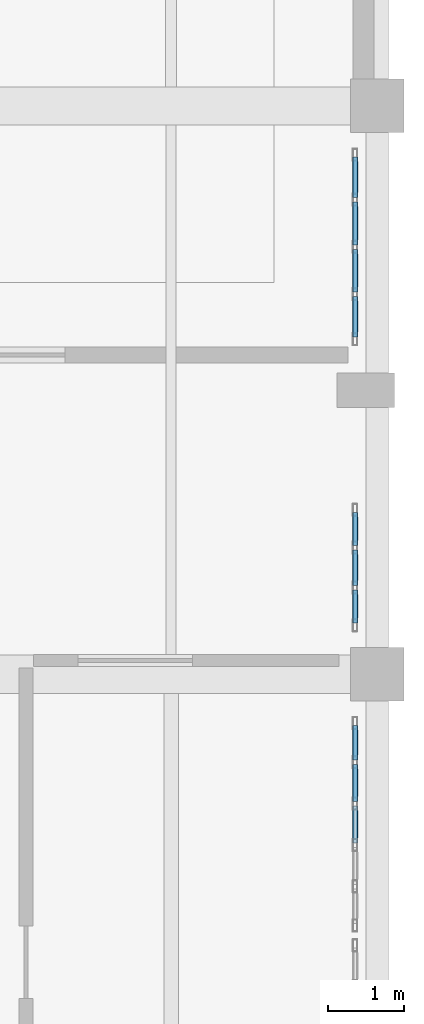
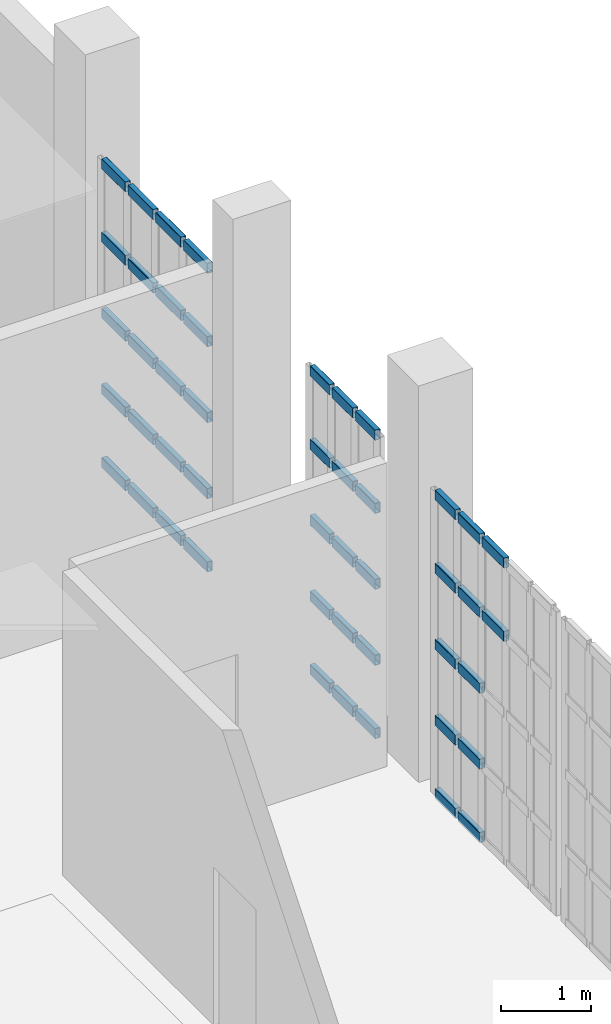
# One storey, part 319 of 372: 47 members, 3 elements without a shape of their own.
"""IFC4 building model written with IfcOpenShell, lengths in metres."""

from ifc_helpers import new_model, si_unit, direction, frame, origin, origin_2d, place, context, subcontext, project, spatial, hollow_rectangle, extrude, material, material_profile, profile_set, type_object, element, aggregate, save


model = new_model("IFC4")

# Units and contexts
model_context = context("Model", 3, precision=1e-05, world=origin(), true_north=direction((0.0, 1.0)))
body_context = subcontext(model_context, "Body", "Model", "MODEL_VIEW")
ifc_project = project(units=[si_unit("LENGTHUNIT", "METRE"), si_unit("AREAUNIT", "SQUARE_METRE"), si_unit("VOLUMEUNIT", "CUBIC_METRE"), si_unit("PLANEANGLEUNIT", "RADIAN"), si_unit("MASSUNIT", "GRAM", prefix="KILO")], contexts=[model_context])

# Site, building, storey
site_placement = place(None, origin())
site = spatial("IfcSite", under=ifc_project, at=site_placement, CompositionType="ELEMENT")
building_placement = place(site_placement, origin())
building = spatial("IfcBuilding", under=site, at=building_placement, Name="Kaelora Sail Theatre", CompositionType="ELEMENT")
storey_placement = place(building_placement, origin())
storey = spatial("IfcBuildingStorey", under=building, at=storey_placement, Name="L00", CompositionType="ELEMENT", Elevation=0.0)

# Curtain wall, members
ifc_material_1 = material(Name="Anodised aluminium and solar-control low-E IGU", Category="aluminium")
curtain_wall_type = type_object("IfcCurtainWallType", Name="ARC-CW-CW-FOY1", PredefinedType="NOTDEFINED", material=ifc_material_1)
curtain_wall_1_placement = place(storey_placement, origin())
curtain_wall_1 = element("IfcCurtainWall", 1, at=curtain_wall_1_placement, inside=storey, type_object=curtain_wall_type, Name="Glazed Colonnade/Courtyard Curtain Wall COLE-E-L00-12", PredefinedType="NOTDEFINED")
ifc_material_2 = material(Name="Anodised aluminium 6063-T6", Category="aluminium")
ifc_material_profile = material_profile(ifc_material_2, hollow_rectangle(XDim=0.070068359375, YDim=0.139892578125, WallThickness=0.00390625, InnerFilletRadius=0.00390625, OuterFilletRadius=0.008056640625, at=origin_2d()), Name="ALU-TRAN 70x140x4")
ifc_profile_set = profile_set([ifc_material_profile], Name="Anodised aluminium 6063-T6")
member_type = type_object("IfcMemberType", Name="ARC-MEM-TR-140", PredefinedType="USERDEFINED", material=ifc_profile_set)
member_1_placement = place(storey_placement, frame((163.2099609375, 58.81396484375, 3.102783203125), z_axis=(0.0, 1.0, 0.0), x_axis=(-1.0, 0.0, 0.0)))
member_1 = element("IfcMember", 2, at=member_1_placement, type_object=member_type, Name="CW-FOY1 transom 3.4", ObjectType="TRANSOM", PredefinedType="USERDEFINED", context=body_context, shape_type="SweptSolid", body=[
    extrude(hollow_rectangle(XDim=0.070068359375, YDim=0.139892578125, WallThickness=0.00390625, InnerFilletRadius=0.00390625, OuterFilletRadius=0.008056640625, at=origin_2d()), origin(), (0.0, 0.0, 1.0), 0.48193359375),
])
member_2_placement = place(storey_placement, frame((163.2099609375, 58.81396484375, 4.10205078125), z_axis=(0.0, 1.0, 0.0), x_axis=(-1.0, 0.0, 0.0)))
member_2 = element("IfcMember", 3, at=member_2_placement, type_object=member_type, Name="CW-FOY1 transom 3.5", ObjectType="TRANSOM", PredefinedType="USERDEFINED", context=body_context, shape_type="SweptSolid", body=[
    extrude(hollow_rectangle(XDim=0.070068359375, YDim=0.139892578125, WallThickness=0.00390625, InnerFilletRadius=0.00390625, OuterFilletRadius=0.008056640625, at=origin_2d()), origin(), (0.0, 0.0, 1.0), 0.48193359375),
])
member_3_placement = place(storey_placement, frame((163.2099609375, 59.35595703125, 0.034912109375), z_axis=(0.0, 1.0, 0.0), x_axis=(-1.0, 0.0, 0.0)))
member_3 = element("IfcMember", 4, at=member_3_placement, type_object=member_type, Name="CW-FOY1 transom 4.1", ObjectType="TRANSOM", PredefinedType="USERDEFINED", context=body_context, shape_type="SweptSolid", body=[
    extrude(hollow_rectangle(XDim=0.070068359375, YDim=0.139892578125, WallThickness=0.00390625, InnerFilletRadius=0.00390625, OuterFilletRadius=0.008056640625, at=origin_2d()), origin(), (0.0, 0.0, 1.0), 0.48193359375),
])
member_4_placement = place(storey_placement, frame((163.2099609375, 59.35595703125, 1.0341796875), z_axis=(0.0, 1.0, 0.0), x_axis=(-1.0, 0.0, 0.0)))
member_4 = element("IfcMember", 5, at=member_4_placement, type_object=member_type, Name="CW-FOY1 transom 4.2", ObjectType="TRANSOM", PredefinedType="USERDEFINED", context=body_context, shape_type="SweptSolid", body=[
    extrude(hollow_rectangle(XDim=0.070068359375, YDim=0.139892578125, WallThickness=0.00390625, InnerFilletRadius=0.00390625, OuterFilletRadius=0.008056640625, at=origin_2d()), origin(), (0.0, 0.0, 1.0), 0.48193359375),
])
member_5_placement = place(storey_placement, frame((163.2099609375, 59.35595703125, 2.068603515625), z_axis=(0.0, 1.0, 0.0), x_axis=(-1.0, 0.0, 0.0)))
member_5 = element("IfcMember", 6, at=member_5_placement, type_object=member_type, Name="CW-FOY1 transom 4.3", ObjectType="TRANSOM", PredefinedType="USERDEFINED", context=body_context, shape_type="SweptSolid", body=[
    extrude(hollow_rectangle(XDim=0.070068359375, YDim=0.139892578125, WallThickness=0.00390625, InnerFilletRadius=0.00390625, OuterFilletRadius=0.008056640625, at=origin_2d()), origin(), (0.0, 0.0, 1.0), 0.48193359375),
])
member_6_placement = place(storey_placement, frame((163.2099609375, 59.35595703125, 3.102783203125), z_axis=(0.0, 1.0, 0.0), x_axis=(-1.0, 0.0, 0.0)))
member_6 = element("IfcMember", 7, at=member_6_placement, type_object=member_type, Name="CW-FOY1 transom 4.4", ObjectType="TRANSOM", PredefinedType="USERDEFINED", context=body_context, shape_type="SweptSolid", body=[
    extrude(hollow_rectangle(XDim=0.070068359375, YDim=0.139892578125, WallThickness=0.00390625, InnerFilletRadius=0.00390625, OuterFilletRadius=0.008056640625, at=origin_2d()), origin(), (0.0, 0.0, 1.0), 0.48193359375),
])
member_7_placement = place(storey_placement, frame((163.2099609375, 59.35595703125, 4.10205078125), z_axis=(0.0, 1.0, 0.0), x_axis=(-1.0, 0.0, 0.0)))
member_7 = element("IfcMember", 8, at=member_7_placement, type_object=member_type, Name="CW-FOY1 transom 4.5", ObjectType="TRANSOM", PredefinedType="USERDEFINED", context=body_context, shape_type="SweptSolid", body=[
    extrude(hollow_rectangle(XDim=0.070068359375, YDim=0.139892578125, WallThickness=0.00390625, InnerFilletRadius=0.00390625, OuterFilletRadius=0.008056640625, at=origin_2d()), origin(), (0.0, 0.0, 1.0), 0.48193359375),
])
member_8_placement = place(storey_placement, frame((163.2099609375, 59.89794921875, 0.034912109375), z_axis=(0.0, 1.0, 0.0), x_axis=(-1.0, 0.0, 0.0)))
member_8 = element("IfcMember", 9, at=member_8_placement, type_object=member_type, Name="CW-FOY1 transom 5.1", ObjectType="TRANSOM", PredefinedType="USERDEFINED", context=body_context, shape_type="SweptSolid", body=[
    extrude(hollow_rectangle(XDim=0.070068359375, YDim=0.139892578125, WallThickness=0.00390625, InnerFilletRadius=0.00390625, OuterFilletRadius=0.008056640625, at=origin_2d()), origin(), (0.0, 0.0, 1.0), 0.4521484375),
])
member_9_placement = place(storey_placement, frame((163.2099609375, 59.89794921875, 1.0341796875), z_axis=(0.0, 1.0, 0.0), x_axis=(-1.0, 0.0, 0.0)))
member_9 = element("IfcMember", 10, at=member_9_placement, type_object=member_type, Name="CW-FOY1 transom 5.2", ObjectType="TRANSOM", PredefinedType="USERDEFINED", context=body_context, shape_type="SweptSolid", body=[
    extrude(hollow_rectangle(XDim=0.070068359375, YDim=0.139892578125, WallThickness=0.00390625, InnerFilletRadius=0.00390625, OuterFilletRadius=0.008056640625, at=origin_2d()), origin(), (0.0, 0.0, 1.0), 0.4521484375),
])
member_10_placement = place(storey_placement, frame((163.2099609375, 59.89794921875, 2.068603515625), z_axis=(0.0, 1.0, 0.0), x_axis=(-1.0, 0.0, 0.0)))
member_10 = element("IfcMember", 11, at=member_10_placement, type_object=member_type, Name="CW-FOY1 transom 5.3", ObjectType="TRANSOM", PredefinedType="USERDEFINED", context=body_context, shape_type="SweptSolid", body=[
    extrude(hollow_rectangle(XDim=0.070068359375, YDim=0.139892578125, WallThickness=0.00390625, InnerFilletRadius=0.00390625, OuterFilletRadius=0.008056640625, at=origin_2d()), origin(), (0.0, 0.0, 1.0), 0.4521484375),
])
member_11_placement = place(storey_placement, frame((163.2099609375, 59.89794921875, 3.102783203125), z_axis=(0.0, 1.0, 0.0), x_axis=(-1.0, 0.0, 0.0)))
member_11 = element("IfcMember", 12, at=member_11_placement, type_object=member_type, Name="CW-FOY1 transom 5.4", ObjectType="TRANSOM", PredefinedType="USERDEFINED", context=body_context, shape_type="SweptSolid", body=[
    extrude(hollow_rectangle(XDim=0.070068359375, YDim=0.139892578125, WallThickness=0.00390625, InnerFilletRadius=0.00390625, OuterFilletRadius=0.008056640625, at=origin_2d()), origin(), (0.0, 0.0, 1.0), 0.4521484375),
])
member_12_placement = place(storey_placement, frame((163.2099609375, 59.89794921875, 4.10205078125), z_axis=(0.0, 1.0, 0.0), x_axis=(-1.0, 0.0, 0.0)))
member_12 = element("IfcMember", 13, at=member_12_placement, type_object=member_type, Name="CW-FOY1 transom 5.5", ObjectType="TRANSOM", PredefinedType="USERDEFINED", context=body_context, shape_type="SweptSolid", body=[
    extrude(hollow_rectangle(XDim=0.070068359375, YDim=0.139892578125, WallThickness=0.00390625, InnerFilletRadius=0.00390625, OuterFilletRadius=0.008056640625, at=origin_2d()), origin(), (0.0, 0.0, 1.0), 0.4521484375),
])
aggregate(curtain_wall_1, [member_1, member_2, member_3, member_4, member_5, member_6, member_7, member_8, member_9, member_10, member_11, member_12])

curtain_wall_2_placement = place(storey_placement, origin())
curtain_wall_2 = element("IfcCurtainWall", 14, at=curtain_wall_2_placement, inside=storey, type_object=curtain_wall_type, Name="Glazed Colonnade/Courtyard Curtain Wall COLE-E-L00-13", PredefinedType="NOTDEFINED")
member_13_placement = place(storey_placement, frame((163.2099609375, 61.68994140625, 0.034912109375), z_axis=(0.0, 1.0, 0.0), x_axis=(-1.0, 0.0, 0.0)))
member_13 = element("IfcMember", 15, at=member_13_placement, type_object=member_type, Name="CW-FOY1 transom 1.1", ObjectType="TRANSOM", PredefinedType="USERDEFINED", context=body_context, shape_type="SweptSolid", body=[
    extrude(hollow_rectangle(XDim=0.070068359375, YDim=0.139892578125, WallThickness=0.00390625, InnerFilletRadius=0.00390625, OuterFilletRadius=0.008056640625, at=origin_2d()), origin(), (0.0, 0.0, 1.0), 0.433349609375),
])
member_14_placement = place(storey_placement, frame((163.2099609375, 61.68994140625, 1.0341796875), z_axis=(0.0, 1.0, 0.0), x_axis=(-1.0, 0.0, 0.0)))
member_14 = element("IfcMember", 16, at=member_14_placement, type_object=member_type, Name="CW-FOY1 transom 1.2", ObjectType="TRANSOM", PredefinedType="USERDEFINED", context=body_context, shape_type="SweptSolid", body=[
    extrude(hollow_rectangle(XDim=0.070068359375, YDim=0.139892578125, WallThickness=0.00390625, InnerFilletRadius=0.00390625, OuterFilletRadius=0.008056640625, at=origin_2d()), origin(), (0.0, 0.0, 1.0), 0.433349609375),
])
member_15_placement = place(storey_placement, frame((163.2099609375, 61.68994140625, 2.068603515625), z_axis=(0.0, 1.0, 0.0), x_axis=(-1.0, 0.0, 0.0)))
member_15 = element("IfcMember", 17, at=member_15_placement, type_object=member_type, Name="CW-FOY1 transom 1.3", ObjectType="TRANSOM", PredefinedType="USERDEFINED", context=body_context, shape_type="SweptSolid", body=[
    extrude(hollow_rectangle(XDim=0.070068359375, YDim=0.139892578125, WallThickness=0.00390625, InnerFilletRadius=0.00390625, OuterFilletRadius=0.008056640625, at=origin_2d()), origin(), (0.0, 0.0, 1.0), 0.433349609375),
])
member_16_placement = place(storey_placement, frame((163.2099609375, 61.68994140625, 3.102783203125), z_axis=(0.0, 1.0, 0.0), x_axis=(-1.0, 0.0, 0.0)))
member_16 = element("IfcMember", 18, at=member_16_placement, type_object=member_type, Name="CW-FOY1 transom 1.4", ObjectType="TRANSOM", PredefinedType="USERDEFINED", context=body_context, shape_type="SweptSolid", body=[
    extrude(hollow_rectangle(XDim=0.070068359375, YDim=0.139892578125, WallThickness=0.00390625, InnerFilletRadius=0.00390625, OuterFilletRadius=0.008056640625, at=origin_2d()), origin(), (0.0, 0.0, 1.0), 0.433349609375),
])
member_17_placement = place(storey_placement, frame((163.2099609375, 61.68994140625, 4.10205078125), z_axis=(0.0, 1.0, 0.0), x_axis=(-1.0, 0.0, 0.0)))
member_17 = element("IfcMember", 19, at=member_17_placement, type_object=member_type, Name="CW-FOY1 transom 1.5", ObjectType="TRANSOM", PredefinedType="USERDEFINED", context=body_context, shape_type="SweptSolid", body=[
    extrude(hollow_rectangle(XDim=0.070068359375, YDim=0.139892578125, WallThickness=0.00390625, InnerFilletRadius=0.00390625, OuterFilletRadius=0.008056640625, at=origin_2d()), origin(), (0.0, 0.0, 1.0), 0.433349609375),
])
member_18_placement = place(storey_placement, frame((163.2099609375, 62.183349609375, 0.034912109375), z_axis=(0.0, 1.0, 0.0), x_axis=(-1.0, 0.0, 0.0)))
member_18 = element("IfcMember", 20, at=member_18_placement, type_object=member_type, Name="CW-FOY1 transom 2.1", ObjectType="TRANSOM", PredefinedType="USERDEFINED", context=body_context, shape_type="SweptSolid", body=[
    extrude(hollow_rectangle(XDim=0.070068359375, YDim=0.139892578125, WallThickness=0.00390625, InnerFilletRadius=0.00390625, OuterFilletRadius=0.008056640625, at=origin_2d()), origin(), (0.0, 0.0, 1.0), 0.46337890625),
])
member_19_placement = place(storey_placement, frame((163.2099609375, 62.183349609375, 1.0341796875), z_axis=(0.0, 1.0, 0.0), x_axis=(-1.0, 0.0, 0.0)))
member_19 = element("IfcMember", 21, at=member_19_placement, type_object=member_type, Name="CW-FOY1 transom 2.2", ObjectType="TRANSOM", PredefinedType="USERDEFINED", context=body_context, shape_type="SweptSolid", body=[
    extrude(hollow_rectangle(XDim=0.070068359375, YDim=0.139892578125, WallThickness=0.00390625, InnerFilletRadius=0.00390625, OuterFilletRadius=0.008056640625, at=origin_2d()), origin(), (0.0, 0.0, 1.0), 0.46337890625),
])
member_20_placement = place(storey_placement, frame((163.2099609375, 62.183349609375, 2.068603515625), z_axis=(0.0, 1.0, 0.0), x_axis=(-1.0, 0.0, 0.0)))
member_20 = element("IfcMember", 22, at=member_20_placement, type_object=member_type, Name="CW-FOY1 transom 2.3", ObjectType="TRANSOM", PredefinedType="USERDEFINED", context=body_context, shape_type="SweptSolid", body=[
    extrude(hollow_rectangle(XDim=0.070068359375, YDim=0.139892578125, WallThickness=0.00390625, InnerFilletRadius=0.00390625, OuterFilletRadius=0.008056640625, at=origin_2d()), origin(), (0.0, 0.0, 1.0), 0.46337890625),
])
member_21_placement = place(storey_placement, frame((163.2099609375, 62.183349609375, 3.102783203125), z_axis=(0.0, 1.0, 0.0), x_axis=(-1.0, 0.0, 0.0)))
member_21 = element("IfcMember", 23, at=member_21_placement, type_object=member_type, Name="CW-FOY1 transom 2.4", ObjectType="TRANSOM", PredefinedType="USERDEFINED", context=body_context, shape_type="SweptSolid", body=[
    extrude(hollow_rectangle(XDim=0.070068359375, YDim=0.139892578125, WallThickness=0.00390625, InnerFilletRadius=0.00390625, OuterFilletRadius=0.008056640625, at=origin_2d()), origin(), (0.0, 0.0, 1.0), 0.46337890625),
])
member_22_placement = place(storey_placement, frame((163.2099609375, 62.183349609375, 4.10205078125), z_axis=(0.0, 1.0, 0.0), x_axis=(-1.0, 0.0, 0.0)))
member_22 = element("IfcMember", 24, at=member_22_placement, type_object=member_type, Name="CW-FOY1 transom 2.5", ObjectType="TRANSOM", PredefinedType="USERDEFINED", context=body_context, shape_type="SweptSolid", body=[
    extrude(hollow_rectangle(XDim=0.070068359375, YDim=0.139892578125, WallThickness=0.00390625, InnerFilletRadius=0.00390625, OuterFilletRadius=0.008056640625, at=origin_2d()), origin(), (0.0, 0.0, 1.0), 0.46337890625),
])
member_23_placement = place(storey_placement, frame((163.2099609375, 62.706787109375, 0.034912109375), z_axis=(0.0, 1.0, 0.0), x_axis=(-1.0, 0.0, 0.0)))
member_23 = element("IfcMember", 25, at=member_23_placement, type_object=member_type, Name="CW-FOY1 transom 3.1", ObjectType="TRANSOM", PredefinedType="USERDEFINED", context=body_context, shape_type="SweptSolid", body=[
    extrude(hollow_rectangle(XDim=0.070068359375, YDim=0.139892578125, WallThickness=0.00390625, InnerFilletRadius=0.00390625, OuterFilletRadius=0.008056640625, at=origin_2d()), origin(), (0.0, 0.0, 1.0), 0.43310546875),
])
member_24_placement = place(storey_placement, frame((163.2099609375, 62.706787109375, 1.0341796875), z_axis=(0.0, 1.0, 0.0), x_axis=(-1.0, 0.0, 0.0)))
member_24 = element("IfcMember", 26, at=member_24_placement, type_object=member_type, Name="CW-FOY1 transom 3.2", ObjectType="TRANSOM", PredefinedType="USERDEFINED", context=body_context, shape_type="SweptSolid", body=[
    extrude(hollow_rectangle(XDim=0.070068359375, YDim=0.139892578125, WallThickness=0.00390625, InnerFilletRadius=0.00390625, OuterFilletRadius=0.008056640625, at=origin_2d()), origin(), (0.0, 0.0, 1.0), 0.43310546875),
])
member_25_placement = place(storey_placement, frame((163.2099609375, 62.706787109375, 2.068603515625), z_axis=(0.0, 1.0, 0.0), x_axis=(-1.0, 0.0, 0.0)))
member_25 = element("IfcMember", 27, at=member_25_placement, type_object=member_type, Name="CW-FOY1 transom 3.3", ObjectType="TRANSOM", PredefinedType="USERDEFINED", context=body_context, shape_type="SweptSolid", body=[
    extrude(hollow_rectangle(XDim=0.070068359375, YDim=0.139892578125, WallThickness=0.00390625, InnerFilletRadius=0.00390625, OuterFilletRadius=0.008056640625, at=origin_2d()), origin(), (0.0, 0.0, 1.0), 0.43310546875),
])
member_26_placement = place(storey_placement, frame((163.2099609375, 62.706787109375, 3.102783203125), z_axis=(0.0, 1.0, 0.0), x_axis=(-1.0, 0.0, 0.0)))
member_26 = element("IfcMember", 28, at=member_26_placement, type_object=member_type, Name="CW-FOY1 transom 3.4", ObjectType="TRANSOM", PredefinedType="USERDEFINED", context=body_context, shape_type="SweptSolid", body=[
    extrude(hollow_rectangle(XDim=0.070068359375, YDim=0.139892578125, WallThickness=0.00390625, InnerFilletRadius=0.00390625, OuterFilletRadius=0.008056640625, at=origin_2d()), origin(), (0.0, 0.0, 1.0), 0.43310546875),
])
member_27_placement = place(storey_placement, frame((163.2099609375, 62.706787109375, 4.10205078125), z_axis=(0.0, 1.0, 0.0), x_axis=(-1.0, 0.0, 0.0)))
member_27 = element("IfcMember", 29, at=member_27_placement, type_object=member_type, Name="CW-FOY1 transom 3.5", ObjectType="TRANSOM", PredefinedType="USERDEFINED", context=body_context, shape_type="SweptSolid", body=[
    extrude(hollow_rectangle(XDim=0.070068359375, YDim=0.139892578125, WallThickness=0.00390625, InnerFilletRadius=0.00390625, OuterFilletRadius=0.008056640625, at=origin_2d()), origin(), (0.0, 0.0, 1.0), 0.43310546875),
])
aggregate(curtain_wall_2, [member_13, member_14, member_15, member_16, member_17, member_18, member_19, member_20, member_21, member_22, member_23, member_24, member_25, member_26, member_27])

curtain_wall_3_placement = place(storey_placement, origin())
curtain_wall_3 = element("IfcCurtainWall", 30, at=curtain_wall_3_placement, inside=storey, type_object=curtain_wall_type, Name="Glazed Colonnade/Courtyard Curtain Wall COLE-E-L00-15", PredefinedType="NOTDEFINED")
member_28_placement = place(storey_placement, frame((163.2099609375, 65.43505859375, 0.034912109375), z_axis=(0.0, 1.0, 0.0), x_axis=(-1.0, 0.0, 0.0)))
member_28 = element("IfcMember", 31, at=member_28_placement, type_object=member_type, Name="CW-FOY1 transom 1.1", ObjectType="TRANSOM", PredefinedType="USERDEFINED", context=body_context, shape_type="SweptSolid", body=[
    extrude(hollow_rectangle(XDim=0.070068359375, YDim=0.139892578125, WallThickness=0.00390625, InnerFilletRadius=0.00390625, OuterFilletRadius=0.008056640625, at=origin_2d()), origin(), (0.0, 0.0, 1.0), 0.52880859375),
])
member_29_placement = place(storey_placement, frame((163.2099609375, 65.43505859375, 1.0341796875), z_axis=(0.0, 1.0, 0.0), x_axis=(-1.0, 0.0, 0.0)))
member_29 = element("IfcMember", 32, at=member_29_placement, type_object=member_type, Name="CW-FOY1 transom 1.2", ObjectType="TRANSOM", PredefinedType="USERDEFINED", context=body_context, shape_type="SweptSolid", body=[
    extrude(hollow_rectangle(XDim=0.070068359375, YDim=0.139892578125, WallThickness=0.00390625, InnerFilletRadius=0.00390625, OuterFilletRadius=0.008056640625, at=origin_2d()), origin(), (0.0, 0.0, 1.0), 0.52880859375),
])
member_30_placement = place(storey_placement, frame((163.2099609375, 65.43505859375, 2.068603515625), z_axis=(0.0, 1.0, 0.0), x_axis=(-1.0, 0.0, 0.0)))
member_30 = element("IfcMember", 33, at=member_30_placement, type_object=member_type, Name="CW-FOY1 transom 1.3", ObjectType="TRANSOM", PredefinedType="USERDEFINED", context=body_context, shape_type="SweptSolid", body=[
    extrude(hollow_rectangle(XDim=0.070068359375, YDim=0.139892578125, WallThickness=0.00390625, InnerFilletRadius=0.00390625, OuterFilletRadius=0.008056640625, at=origin_2d()), origin(), (0.0, 0.0, 1.0), 0.52880859375),
])
member_31_placement = place(storey_placement, frame((163.2099609375, 65.43505859375, 3.102783203125), z_axis=(0.0, 1.0, 0.0), x_axis=(-1.0, 0.0, 0.0)))
member_31 = element("IfcMember", 34, at=member_31_placement, type_object=member_type, Name="CW-FOY1 transom 1.4", ObjectType="TRANSOM", PredefinedType="USERDEFINED", context=body_context, shape_type="SweptSolid", body=[
    extrude(hollow_rectangle(XDim=0.070068359375, YDim=0.139892578125, WallThickness=0.00390625, InnerFilletRadius=0.00390625, OuterFilletRadius=0.008056640625, at=origin_2d()), origin(), (0.0, 0.0, 1.0), 0.52880859375),
])
member_32_placement = place(storey_placement, frame((163.2099609375, 65.43505859375, 4.10205078125), z_axis=(0.0, 1.0, 0.0), x_axis=(-1.0, 0.0, 0.0)))
member_32 = element("IfcMember", 35, at=member_32_placement, type_object=member_type, Name="CW-FOY1 transom 1.5", ObjectType="TRANSOM", PredefinedType="USERDEFINED", context=body_context, shape_type="SweptSolid", body=[
    extrude(hollow_rectangle(XDim=0.070068359375, YDim=0.139892578125, WallThickness=0.00390625, InnerFilletRadius=0.00390625, OuterFilletRadius=0.008056640625, at=origin_2d()), origin(), (0.0, 0.0, 1.0), 0.52880859375),
])
member_33_placement = place(storey_placement, frame((163.2099609375, 66.023681640625, 0.034912109375), z_axis=(0.0, 1.0, 0.0), x_axis=(-1.0, 0.0, 0.0)))
member_33 = element("IfcMember", 36, at=member_33_placement, type_object=member_type, Name="CW-FOY1 transom 2.1", ObjectType="TRANSOM", PredefinedType="USERDEFINED", context=body_context, shape_type="SweptSolid", body=[
    extrude(hollow_rectangle(XDim=0.070068359375, YDim=0.139892578125, WallThickness=0.00390625, InnerFilletRadius=0.00390625, OuterFilletRadius=0.008056640625, at=origin_2d()), origin(), (0.0, 0.0, 1.0), 0.558837890625),
])
member_34_placement = place(storey_placement, frame((163.2099609375, 66.023681640625, 1.0341796875), z_axis=(0.0, 1.0, 0.0), x_axis=(-1.0, 0.0, 0.0)))
member_34 = element("IfcMember", 37, at=member_34_placement, type_object=member_type, Name="CW-FOY1 transom 2.2", ObjectType="TRANSOM", PredefinedType="USERDEFINED", context=body_context, shape_type="SweptSolid", body=[
    extrude(hollow_rectangle(XDim=0.070068359375, YDim=0.139892578125, WallThickness=0.00390625, InnerFilletRadius=0.00390625, OuterFilletRadius=0.008056640625, at=origin_2d()), origin(), (0.0, 0.0, 1.0), 0.558837890625),
])
member_35_placement = place(storey_placement, frame((163.2099609375, 66.023681640625, 2.068603515625), z_axis=(0.0, 1.0, 0.0), x_axis=(-1.0, 0.0, 0.0)))
member_35 = element("IfcMember", 38, at=member_35_placement, type_object=member_type, Name="CW-FOY1 transom 2.3", ObjectType="TRANSOM", PredefinedType="USERDEFINED", context=body_context, shape_type="SweptSolid", body=[
    extrude(hollow_rectangle(XDim=0.070068359375, YDim=0.139892578125, WallThickness=0.00390625, InnerFilletRadius=0.00390625, OuterFilletRadius=0.008056640625, at=origin_2d()), origin(), (0.0, 0.0, 1.0), 0.558837890625),
])
member_36_placement = place(storey_placement, frame((163.2099609375, 66.023681640625, 3.102783203125), z_axis=(0.0, 1.0, 0.0), x_axis=(-1.0, 0.0, 0.0)))
member_36 = element("IfcMember", 39, at=member_36_placement, type_object=member_type, Name="CW-FOY1 transom 2.4", ObjectType="TRANSOM", PredefinedType="USERDEFINED", context=body_context, shape_type="SweptSolid", body=[
    extrude(hollow_rectangle(XDim=0.070068359375, YDim=0.139892578125, WallThickness=0.00390625, InnerFilletRadius=0.00390625, OuterFilletRadius=0.008056640625, at=origin_2d()), origin(), (0.0, 0.0, 1.0), 0.558837890625),
])
member_37_placement = place(storey_placement, frame((163.2099609375, 66.023681640625, 4.10205078125), z_axis=(0.0, 1.0, 0.0), x_axis=(-1.0, 0.0, 0.0)))
member_37 = element("IfcMember", 40, at=member_37_placement, type_object=member_type, Name="CW-FOY1 transom 2.5", ObjectType="TRANSOM", PredefinedType="USERDEFINED", context=body_context, shape_type="SweptSolid", body=[
    extrude(hollow_rectangle(XDim=0.070068359375, YDim=0.139892578125, WallThickness=0.00390625, InnerFilletRadius=0.00390625, OuterFilletRadius=0.008056640625, at=origin_2d()), origin(), (0.0, 0.0, 1.0), 0.558837890625),
])
member_38_placement = place(storey_placement, frame((163.2099609375, 66.642578125, 0.034912109375), z_axis=(0.0, 1.0, 0.0), x_axis=(-1.0, 0.0, 0.0)))
member_38 = element("IfcMember", 41, at=member_38_placement, type_object=member_type, Name="CW-FOY1 transom 3.1", ObjectType="TRANSOM", PredefinedType="USERDEFINED", context=body_context, shape_type="SweptSolid", body=[
    extrude(hollow_rectangle(XDim=0.070068359375, YDim=0.139892578125, WallThickness=0.00390625, InnerFilletRadius=0.00390625, OuterFilletRadius=0.008056640625, at=origin_2d()), origin(), (0.0, 0.0, 1.0), 0.55859375),
])
member_39_placement = place(storey_placement, frame((163.2099609375, 66.642578125, 1.0341796875), z_axis=(0.0, 1.0, 0.0), x_axis=(-1.0, 0.0, 0.0)))
member_39 = element("IfcMember", 42, at=member_39_placement, type_object=member_type, Name="CW-FOY1 transom 3.2", ObjectType="TRANSOM", PredefinedType="USERDEFINED", context=body_context, shape_type="SweptSolid", body=[
    extrude(hollow_rectangle(XDim=0.070068359375, YDim=0.139892578125, WallThickness=0.00390625, InnerFilletRadius=0.00390625, OuterFilletRadius=0.008056640625, at=origin_2d()), origin(), (0.0, 0.0, 1.0), 0.55859375),
])
member_40_placement = place(storey_placement, frame((163.2099609375, 66.642578125, 2.068603515625), z_axis=(0.0, 1.0, 0.0), x_axis=(-1.0, 0.0, 0.0)))
member_40 = element("IfcMember", 43, at=member_40_placement, type_object=member_type, Name="CW-FOY1 transom 3.3", ObjectType="TRANSOM", PredefinedType="USERDEFINED", context=body_context, shape_type="SweptSolid", body=[
    extrude(hollow_rectangle(XDim=0.070068359375, YDim=0.139892578125, WallThickness=0.00390625, InnerFilletRadius=0.00390625, OuterFilletRadius=0.008056640625, at=origin_2d()), origin(), (0.0, 0.0, 1.0), 0.55859375),
])
member_41_placement = place(storey_placement, frame((163.2099609375, 66.642578125, 3.102783203125), z_axis=(0.0, 1.0, 0.0), x_axis=(-1.0, 0.0, 0.0)))
member_41 = element("IfcMember", 44, at=member_41_placement, type_object=member_type, Name="CW-FOY1 transom 3.4", ObjectType="TRANSOM", PredefinedType="USERDEFINED", context=body_context, shape_type="SweptSolid", body=[
    extrude(hollow_rectangle(XDim=0.070068359375, YDim=0.139892578125, WallThickness=0.00390625, InnerFilletRadius=0.00390625, OuterFilletRadius=0.008056640625, at=origin_2d()), origin(), (0.0, 0.0, 1.0), 0.55859375),
])
member_42_placement = place(storey_placement, frame((163.2099609375, 66.642578125, 4.10205078125), z_axis=(0.0, 1.0, 0.0), x_axis=(-1.0, 0.0, 0.0)))
member_42 = element("IfcMember", 45, at=member_42_placement, type_object=member_type, Name="CW-FOY1 transom 3.5", ObjectType="TRANSOM", PredefinedType="USERDEFINED", context=body_context, shape_type="SweptSolid", body=[
    extrude(hollow_rectangle(XDim=0.070068359375, YDim=0.139892578125, WallThickness=0.00390625, InnerFilletRadius=0.00390625, OuterFilletRadius=0.008056640625, at=origin_2d()), origin(), (0.0, 0.0, 1.0), 0.55859375),
])
member_43_placement = place(storey_placement, frame((163.2099609375, 67.26123046875, 0.034912109375), z_axis=(0.0, 1.0, 0.0), x_axis=(-1.0, 0.0, 0.0)))
member_43 = element("IfcMember", 46, at=member_43_placement, type_object=member_type, Name="CW-FOY1 transom 4.1", ObjectType="TRANSOM", PredefinedType="USERDEFINED", context=body_context, shape_type="SweptSolid", body=[
    extrude(hollow_rectangle(XDim=0.070068359375, YDim=0.139892578125, WallThickness=0.00390625, InnerFilletRadius=0.00390625, OuterFilletRadius=0.008056640625, at=origin_2d()), origin(), (0.0, 0.0, 1.0), 0.52880859375),
])
member_44_placement = place(storey_placement, frame((163.2099609375, 67.26123046875, 1.0341796875), z_axis=(0.0, 1.0, 0.0), x_axis=(-1.0, 0.0, 0.0)))
member_44 = element("IfcMember", 47, at=member_44_placement, type_object=member_type, Name="CW-FOY1 transom 4.2", ObjectType="TRANSOM", PredefinedType="USERDEFINED", context=body_context, shape_type="SweptSolid", body=[
    extrude(hollow_rectangle(XDim=0.070068359375, YDim=0.139892578125, WallThickness=0.00390625, InnerFilletRadius=0.00390625, OuterFilletRadius=0.008056640625, at=origin_2d()), origin(), (0.0, 0.0, 1.0), 0.52880859375),
])
member_45_placement = place(storey_placement, frame((163.2099609375, 67.26123046875, 2.068603515625), z_axis=(0.0, 1.0, 0.0), x_axis=(-1.0, 0.0, 0.0)))
member_45 = element("IfcMember", 48, at=member_45_placement, type_object=member_type, Name="CW-FOY1 transom 4.3", ObjectType="TRANSOM", PredefinedType="USERDEFINED", context=body_context, shape_type="SweptSolid", body=[
    extrude(hollow_rectangle(XDim=0.070068359375, YDim=0.139892578125, WallThickness=0.00390625, InnerFilletRadius=0.00390625, OuterFilletRadius=0.008056640625, at=origin_2d()), origin(), (0.0, 0.0, 1.0), 0.52880859375),
])
member_46_placement = place(storey_placement, frame((163.2099609375, 67.26123046875, 3.102783203125), z_axis=(0.0, 1.0, 0.0), x_axis=(-1.0, 0.0, 0.0)))
member_46 = element("IfcMember", 49, at=member_46_placement, type_object=member_type, Name="CW-FOY1 transom 4.4", ObjectType="TRANSOM", PredefinedType="USERDEFINED", context=body_context, shape_type="SweptSolid", body=[
    extrude(hollow_rectangle(XDim=0.070068359375, YDim=0.139892578125, WallThickness=0.00390625, InnerFilletRadius=0.00390625, OuterFilletRadius=0.008056640625, at=origin_2d()), origin(), (0.0, 0.0, 1.0), 0.52880859375),
])
member_47_placement = place(storey_placement, frame((163.2099609375, 67.26123046875, 4.10205078125), z_axis=(0.0, 1.0, 0.0), x_axis=(-1.0, 0.0, 0.0)))
member_47 = element("IfcMember", 50, at=member_47_placement, type_object=member_type, Name="CW-FOY1 transom 4.5", ObjectType="TRANSOM", PredefinedType="USERDEFINED", context=body_context, shape_type="SweptSolid", body=[
    extrude(hollow_rectangle(XDim=0.070068359375, YDim=0.139892578125, WallThickness=0.00390625, InnerFilletRadius=0.00390625, OuterFilletRadius=0.008056640625, at=origin_2d()), origin(), (0.0, 0.0, 1.0), 0.52880859375),
])
aggregate(curtain_wall_3, [member_28, member_29, member_30, member_31, member_32, member_33, member_34, member_35, member_36, member_37, member_38, member_39, member_40, member_41, member_42, member_43, member_44, member_45, member_46, member_47])

save(model, "model.ifc")
